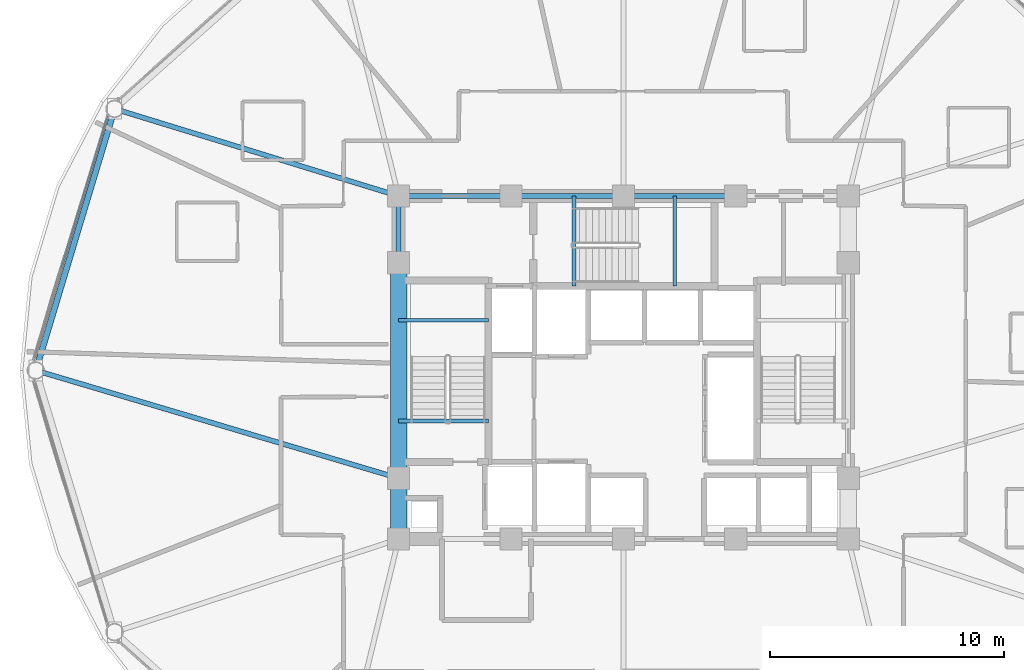
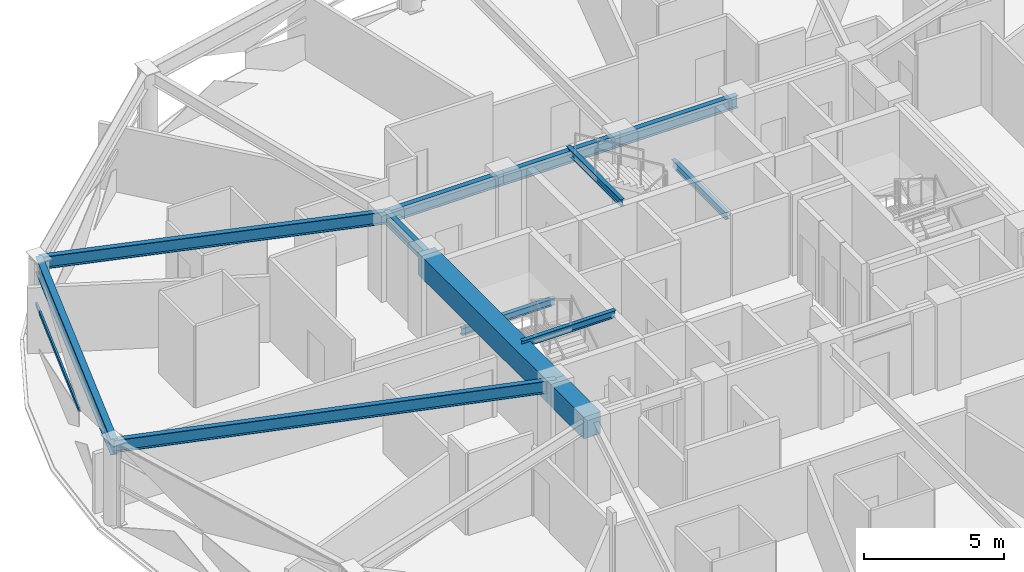
# One storey, part 8 of 30: 13 beams, 1 member, 1 element without a shape of its own.
"""IFC4 building model written with IfcOpenShell, lengths in metres."""

from ifc_helpers import new_model, si_unit, direction, frame, origin, origin_2d, place, context, subcontext, project, spatial, rectangle, hollow_rectangle, i_section, extrude, material, layer, layer_set, material_profile, profile_set, type_object, element, aggregate, save


model = new_model("IFC4")

# Units and contexts
model_context = context("Model", 3, precision=1e-05, world=origin(), true_north=direction((0.0, 1.0)))
body_context = subcontext(model_context, "Body", "Model", "MODEL_VIEW")
ifc_project = project(units=[si_unit("LENGTHUNIT", "METRE"), si_unit("AREAUNIT", "SQUARE_METRE"), si_unit("VOLUMEUNIT", "CUBIC_METRE"), si_unit("PLANEANGLEUNIT", "RADIAN"), si_unit("MASSUNIT", "GRAM", prefix="KILO")], contexts=[model_context])

# Site, building, storey
site_placement = place(None, origin())
site = spatial("IfcSite", under=ifc_project, at=site_placement, CompositionType="ELEMENT")
building_placement = place(site_placement, origin())
building = spatial("IfcBuilding", under=site, at=building_placement, Name="Vantalir Tower", CompositionType="ELEMENT")
storey_placement = place(building_placement, frame((0.0, 0.0, 130.949951171875)))
storey = spatial("IfcBuildingStorey", under=building, at=storey_placement, Name="L32", CompositionType="ELEMENT", Elevation=130.949951171875)

# Beams
ifc_material_1 = material(Name="Concrete C60/75", Category="concrete")
ifc_material_profile_1 = material_profile(ifc_material_1, rectangle(XDim=0.699951171875, YDim=0.949951171875, at=origin_2d()), Name="Concrete C60/75")
ifc_profile_set_1 = profile_set([ifc_material_profile_1], Name="Concrete C60/75")
beam_type_1 = type_object("IfcBeamType", Name="BM-CB-700x950", PredefinedType="USERDEFINED", material=ifc_profile_set_1)
beam_1_placement = place(storey_placement, frame((21.89990234375, 29.60009765625, 3.094970703125), z_axis=(0.0, -1.0, 0.0), x_axis=(1.0, 0.0, 0.0)))
element("IfcBeam", 1, at=beam_1_placement, inside=storey, type_object=beam_type_1, Name="L32 Core Coupling Girder 13", ObjectType="GIRDER", PredefinedType="USERDEFINED", context=body_context, shape_type="SweptSolid", body=[
    extrude(rectangle(XDim=0.699951171875, YDim=0.949951171875, at=origin_2d()), origin(), (0.0, 0.0, 1.0), 9.2001953125),
])
beam_2_placement = place(storey_placement, frame((21.89990234375, 20.39990234375, 3.094970703125), z_axis=(0.0, -1.0, 0.0), x_axis=(1.0, 0.0, 0.0)))
element("IfcBeam", 2, at=beam_2_placement, inside=storey, type_object=beam_type_1, Name="L32 Core Coupling Girder 14", ObjectType="GIRDER", PredefinedType="USERDEFINED", context=body_context, shape_type="SweptSolid", body=[
    extrude(rectangle(XDim=0.699951171875, YDim=0.949951171875, at=origin_2d()), origin(), (0.0, 0.0, 1.0), 2.599853515625),
])
ifc_material_2 = material(Name="Steel S355", Category="steel")
ifc_material_profile_2 = material_profile(ifc_material_2, i_section(OverallWidth=0.166015625, OverallDepth=0.306884765625, WebThickness=0.006591796875, FlangeThickness=0.01171875, at=origin_2d()), Name="Steel S355")
ifc_profile_set_2 = profile_set([ifc_material_profile_2], Name="Steel S355")
beam_type_2 = type_object("IfcBeamType", Name="BM-JS-305x165", PredefinedType="JOIST", material=ifc_profile_set_2)
for number, where, z_axis, x_axis, name in (
    (3, (21.89990234375, 22.8349609375, 3.595947265625), (1.0, 0.0, 0.0), (0.0, 1.0, 0.0), "L33 Stair ST1 Well Nosing Trimmer Beam"),
    (4, (21.89990234375, 27.14501953125, 1.52197265625), (1.0, 0.0, 0.0), (0.0, 1.0, 0.0), "L32 Stair ST1 Half-Landing Support Beam"),
):
    element("IfcBeam", number, at=place(storey_placement, frame(where, z_axis=z_axis, x_axis=x_axis)), inside=storey, type_object=beam_type_2, Name=name, PredefinedType="JOIST", context=body_context, shape_type="SweptSolid", body=[
        extrude(i_section(OverallWidth=0.166015625, OverallDepth=0.306884765625, WebThickness=0.006591796875, FlangeThickness=0.01171875, at=origin_2d()), origin(), (0.0, 0.0, 1.0), 3.840087890625),
    ])
for number, where, z_axis, x_axis, name in (
    (5, (29.385009765625, 28.60009765625, 3.595947265625), (0.0, 1.0, 0.0), (-1.0, 0.0, 0.0), "L33 Stair ST3 Well Nosing Trimmer Beam"),
    (6, (33.695068359375, 28.60009765625, 1.52197265625), (0.0, 1.0, 0.0), (-1.0, 0.0, 0.0), "L32 Stair ST3 Half-Landing Support Beam"),
):
    element("IfcBeam", number, at=place(storey_placement, frame(where, z_axis=z_axis, x_axis=x_axis)), inside=storey, type_object=beam_type_2, Name=name, PredefinedType="JOIST", context=body_context, shape_type="SweptSolid", body=[
        extrude(i_section(OverallWidth=0.166015625, OverallDepth=0.306884765625, WebThickness=0.006591796875, FlangeThickness=0.01171875, at=origin_2d()), origin(), (0.0, 0.0, 1.0), 3.849853515625),
    ])
ifc_material_profile_3 = material_profile(ifc_material_2, i_section(OverallWidth=0.2109375, OverallDepth=0.5390625, WebThickness=0.01171875, FlangeThickness=0.018798828125, at=origin_2d()), Name="Steel S355")
ifc_profile_set_3 = profile_set([ifc_material_profile_3], Name="Steel S355")
beam_type_3 = type_object("IfcBeamType", Name="BM-RB-533x210", PredefinedType="BEAM", material=ifc_profile_set_3)
for number, where, z_axis, x_axis, name in (
    (7, (36.300048828125, 32.449951171875, 3.301025390625), (-1.0, 0.0, 0.0), (0.0, -1.0, 0.0), "L32 Core Coupling Girder 09"),
    (8, (31.5, 32.449951171875, 3.301025390625), (-1.0, 0.0, 0.0), (0.0, -1.0, 0.0), "L32 Core Coupling Girder 10"),
    (9, (26.699951171875, 32.449951171875, 3.301025390625), (-1.0, 0.0, 0.0), (0.0, -1.0, 0.0), "L32 Core Coupling Girder 11"),
):
    element("IfcBeam", number, at=place(storey_placement, frame(where, z_axis=z_axis, x_axis=x_axis)), inside=storey, type_object=beam_type_3, Name=name, PredefinedType="BEAM", context=body_context, shape_type="SweptSolid", body=[
        extrude(i_section(OverallWidth=0.2109375, OverallDepth=0.5390625, WebThickness=0.01171875, FlangeThickness=0.018798828125, at=origin_2d()), origin(), (0.0, 0.0, 1.0), 4.800048828125),
    ])
beam_3_placement = place(storey_placement, frame((21.89990234375, 32.449951171875, 3.301025390625), z_axis=(0.0, -1.0, 0.0), x_axis=(1.0, 0.0, 0.0)))
element("IfcBeam", 10, at=beam_3_placement, inside=storey, type_object=beam_type_3, Name="L32 Core Coupling Girder 12", PredefinedType="BEAM", context=body_context, shape_type="SweptSolid", body=[
    extrude(i_section(OverallWidth=0.2109375, OverallDepth=0.5390625, WebThickness=0.01171875, FlangeThickness=0.018798828125, at=origin_2d()), origin(), (0.0, 0.0, 1.0), 2.849853515625),
])
beam_4_placement = place(storey_placement, frame((9.76904296875, 36.172119140625, 3.301025390625), z_axis=(0.956009182138, -0.293336741082, 0.0), x_axis=(0.293336741082, 0.956009182138, 0.0)))
element("IfcBeam", 11, at=beam_4_placement, inside=storey, type_object=beam_type_3, Name="L32 Radial Floor Beam 06", PredefinedType="BEAM", context=body_context, shape_type="SweptSolid", body=[
    extrude(i_section(OverallWidth=0.2109375, OverallDepth=0.5390625, WebThickness=0.01171875, FlangeThickness=0.018798828125, at=origin_2d()), origin(), (0.0, 0.0, 1.0), 12.68896484375),
])
beam_5_placement = place(storey_placement, frame((6.406982421875, 25.0, 3.301025390625), z_axis=(0.958636111149, -0.284634513722, 0.0), x_axis=(0.284634513722, 0.958636111149, 0.0)))
element("IfcBeam", 12, at=beam_5_placement, inside=storey, type_object=beam_type_3, Name="L32 Radial Floor Beam 07", PredefinedType="BEAM", context=body_context, shape_type="SweptSolid", body=[
    extrude(i_section(OverallWidth=0.2109375, OverallDepth=0.5390625, WebThickness=0.01171875, FlangeThickness=0.018798828125, at=origin_2d()), origin(), (0.0, 0.0, 1.0), 16.161376953125),
])
ifc_material_3 = material(Name="Steel S460", Category="steel")
ifc_material_profile_4 = material_profile(ifc_material_3, i_section(OverallWidth=0.256103515625, OverallDepth=0.693115234375, WebThickness=0.014404296875, FlangeThickness=0.023681640625, at=origin_2d()), Name="Steel S460")
ifc_profile_set_4 = profile_set([ifc_material_profile_4], Name="Steel S460")
beam_type_4 = type_object("IfcBeamType", Name="BM-RG-686x254", PredefinedType="USERDEFINED", material=ifc_profile_set_4)
beam_6_placement = place(storey_placement, frame((9.76904296875, 36.172119140625, 3.22412109375), z_axis=(-0.288167529417, -0.957580009706, 0.0), x_axis=(0.957580009706, -0.288167529417, 0.0)))
element("IfcBeam", 13, at=beam_6_placement, inside=storey, type_object=beam_type_4, Name="L32 Circumferential Ring Girder 06", ObjectType="GIRDER", PredefinedType="USERDEFINED", context=body_context, shape_type="SweptSolid", body=[
    extrude(i_section(OverallWidth=0.256103515625, OverallDepth=0.693115234375, WebThickness=0.014404296875, FlangeThickness=0.023681640625, at=origin_2d()), origin(), (0.0, 0.0, 1.0), 11.6669921875),
])

# Curtain wall, member
ifc_material_4 = material(Name="Champagne-silver PVDF aluminium and double-silver Low-E glass", Category="aluminium")
ifc_layer = layer(ifc_material_4, 0.199951171875)
ifc_layer_set = layer_set([ifc_layer], Name="Champagne-silver PVDF aluminium and double-silver Low-E glass")
curtain_wall_type = type_object("IfcCurtainWallType", Name="CW-DIAMOND-Z2", PredefinedType="USERDEFINED", material=ifc_layer_set)
curtain_wall_placement = place(storey_placement, origin())
curtain_wall = element("IfcCurtainWall", 14, at=curtain_wall_placement, inside=storey, type_object=curtain_wall_type, Name="L32 Quilted Pyramid-Diamond Curtain Wall S06", ObjectType="UNITISED CURTAIN WALL", PredefinedType="USERDEFINED")
ifc_material_5 = material(Name="Champagne-silver PVDF aluminium 6063-T6", Category="aluminium")
ifc_material_profile_5 = material_profile(ifc_material_5, hollow_rectangle(XDim=0.074951171875, YDim=0.159912109375, WallThickness=0.00390625, at=origin_2d()), Name="Champagne-silver PVDF aluminium 6063-T6")
ifc_profile_set_5 = profile_set([ifc_material_profile_5], Name="Champagne-silver PVDF aluminium 6063-T6")
member_type = type_object("IfcMemberType", Name="CWT-160x75", PredefinedType="USERDEFINED", material=ifc_profile_set_5)
member_placement = place(storey_placement, frame((9.47705078125, 35.845947265625, 1.78515625), z_axis=(-0.291200466178, -0.956662055533, 0.0), x_axis=(0.956662055533, -0.291200466178, 0.0)))
member = element("IfcMember", 15, at=member_placement, type_object=member_type, Name="CW-L32-S06 Pyramid Fold Ridge Transom", ObjectType="TRANSOM", PredefinedType="USERDEFINED", context=body_context, shape_type="SweptSolid", body=[
    extrude(hollow_rectangle(XDim=0.074951171875, YDim=0.159912109375, WallThickness=0.00390625, at=origin_2d()), origin(), (0.0, 0.0, 1.0), 6.75146484375),
])
aggregate(curtain_wall, [member])

save(model, "model.ifc")
